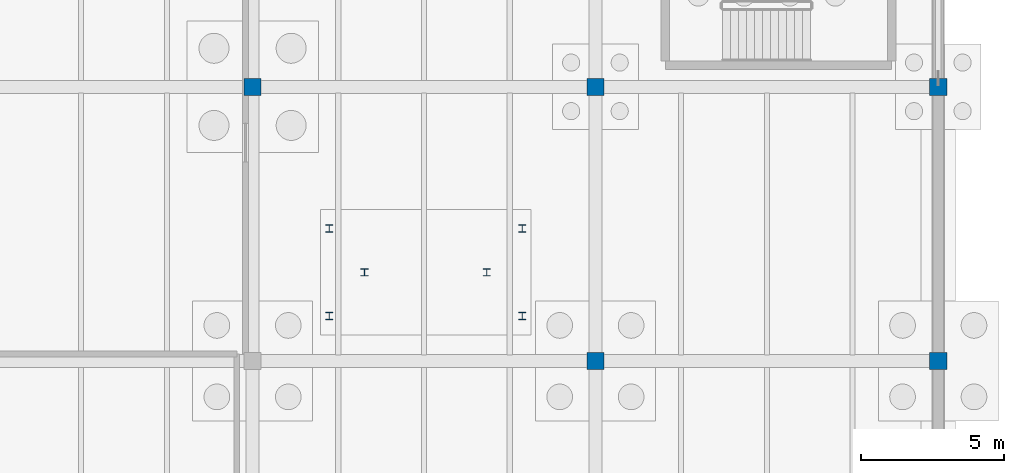
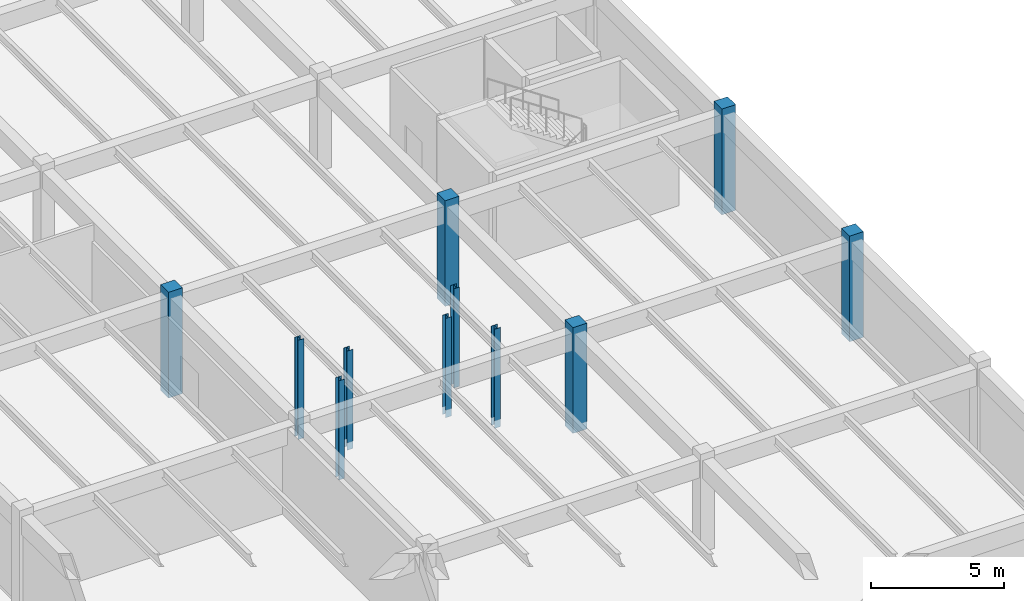
# One storey, part 4 of 20: 11 columns.
"""IFC4 building model written with IfcOpenShell, lengths in metres."""

from ifc_helpers import new_model, si_unit, direction, frame, origin, origin_2d, place, context, subcontext, project, spatial, rectangle, i_section, extrude, material, material_profile, profile_set, type_object, element, save


model = new_model("IFC4")

# Units and contexts
model_context = context("Model", 3, precision=1e-05, world=origin(), true_north=direction((0.0, 1.0)))
body_context = subcontext(model_context, "Body", "Model", "MODEL_VIEW")
ifc_project = project(units=[si_unit("LENGTHUNIT", "METRE"), si_unit("AREAUNIT", "SQUARE_METRE"), si_unit("VOLUMEUNIT", "CUBIC_METRE"), si_unit("PLANEANGLEUNIT", "RADIAN"), si_unit("MASSUNIT", "GRAM", prefix="KILO")], contexts=[model_context])

# Site, building, storey
site_placement = place(None, origin())
site = spatial("IfcSite", under=ifc_project, at=site_placement, CompositionType="ELEMENT")
building_placement = place(site_placement, origin())
building = spatial("IfcBuilding", under=site, at=building_placement, Name="Pandanus Reach Market Hall", CompositionType="ELEMENT")
storey_placement = place(building_placement, frame((0.0, 0.0, -4.5)))
storey = spatial("IfcBuildingStorey", under=building, at=storey_placement, Name="B1", CompositionType="ELEMENT", Elevation=-4.5)

# Columns
ifc_material_1 = material(Name="Concrete N40 (40 MPa)", Category="concrete")
ifc_material_profile_1 = material_profile(ifc_material_1, rectangle(XDim=0.60009765625, YDim=0.60009765625, at=origin_2d()), Name="RC600x600", Category="LoadBearing")
ifc_profile_set_1 = profile_set([ifc_material_profile_1], Name="Concrete N40 (40 MPa)")
column_type_1 = type_object("IfcColumnType", Name="CL-RC600-E", PredefinedType="COLUMN", material=ifc_profile_set_1)
for number, where, z_axis, x_axis, name in (
    (1, (180.0, 19.199951171875, -0.35009765625), (0.0, 0.0, 1.0), (1.0, 0.0, 0.0), "Column CL-RC600-E V4-180-192 B1"),
    (2, (180.0, 28.800048828125, -0.35009765625), (0.0, 0.0, 1.0), (1.0, 0.0, 0.0), "Column CL-RC600-E V4-180-288 B1"),
):
    element("IfcColumn", number, at=place(storey_placement, frame(where, z_axis=z_axis, x_axis=x_axis)), inside=storey, type_object=column_type_1, Name=name, PredefinedType="COLUMN", context=body_context, shape_type="SweptSolid", body=[
        extrude(rectangle(XDim=0.60009765625, YDim=0.60009765625, at=origin_2d()), origin(), (0.0, 0.0, 1.0), 4.85009765625),
    ])
ifc_material_profile_2 = material_profile(ifc_material_1, rectangle(XDim=0.60009765625, YDim=0.60009765625, at=origin_2d()), Name="RC600x600", Category="LoadBearing")
ifc_profile_set_2 = profile_set([ifc_material_profile_2], Name="Concrete N40 (40 MPa)")
column_type_2 = type_object("IfcColumnType", Name="CL-RC600-I", PredefinedType="COLUMN", material=ifc_profile_set_2)
for number, where, z_axis, x_axis, name in (
    (3, (156.0, 28.800048828125, -0.35009765625), (0.0, 0.0, 1.0), (1.0, 0.0, 0.0), "Column CL-RC600-I V4-156-288 B1"),
    (4, (168.0, 19.199951171875, -0.35009765625), (0.0, 0.0, 1.0), (1.0, 0.0, 0.0), "Column CL-RC600-I V4-168-192 B1"),
    (5, (168.0, 28.800048828125, -0.35009765625), (0.0, 0.0, 1.0), (1.0, 0.0, 0.0), "Column CL-RC600-I V4-168-288 B1"),
):
    element("IfcColumn", number, at=place(storey_placement, frame(where, z_axis=z_axis, x_axis=x_axis)), inside=storey, type_object=column_type_2, Name=name, PredefinedType="COLUMN", context=body_context, shape_type="SweptSolid", body=[
        extrude(rectangle(XDim=0.60009765625, YDim=0.60009765625, at=origin_2d()), origin(), (0.0, 0.0, 1.0), 4.85009765625),
    ])
ifc_material_2 = material(Name="Steel Grade 350 (350 MPa)", Category="steel")
ifc_material_profile_3 = material_profile(ifc_material_2, i_section(OverallWidth=0.25390625, OverallDepth=0.25390625, WebThickness=0.008544921875, FlangeThickness=0.01416015625, at=origin_2d()), Name="250UC72.9", Category="LoadBearing")
ifc_profile_set_3 = profile_set([ifc_material_profile_3], Name="Steel Grade 350 (350 MPa)")
column_type_3 = type_object("IfcColumnType", Name="CL-UC250-I", PredefinedType="COLUMN", material=ifc_profile_set_3)
for number, where, z_axis, x_axis, name in (
    (6, (165.43994140625, 20.780029296875, -0.35009765625), (0.0, 0.0, 1.0), (1.0, 0.0, 0.0), "Feature stair support column ST-11.B1.1"),
    (7, (165.43994140625, 23.840087890625, -0.35009765625), (0.0, 0.0, 1.0), (1.0, 0.0, 0.0), "Feature stair support column ST-11.B1.2"),
    (8, (164.199951171875, 22.31005859375, -0.35009765625), (0.0, 0.0, 1.0), (1.0, 0.0, 0.0), "Feature stair support column ST-11.B1.3"),
    (9, (158.679931640625, 20.780029296875, -0.35009765625), (0.0, 0.0, 1.0), (1.0, 0.0, 0.0), "Feature stair support column ST-11.B1.4"),
    (10, (158.679931640625, 23.840087890625, -0.35009765625), (0.0, 0.0, 1.0), (1.0, 0.0, 0.0), "Feature stair support column ST-11.B1.5"),
    (11, (159.919921875, 22.31005859375, -0.35009765625), (0.0, 0.0, 1.0), (1.0, 0.0, 0.0), "Feature stair support column ST-11.B1.6"),
):
    element("IfcColumn", number, at=place(storey_placement, frame(where, z_axis=z_axis, x_axis=x_axis)), inside=storey, type_object=column_type_3, Name=name, PredefinedType="COLUMN", context=body_context, shape_type="SweptSolid", body=[
        extrude(i_section(OverallWidth=0.25390625, OverallDepth=0.25390625, WebThickness=0.008544921875, FlangeThickness=0.01416015625, at=origin_2d()), origin(), (0.0, 0.0, 1.0), 4.550048828125),
    ])

save(model, "model.ifc")
